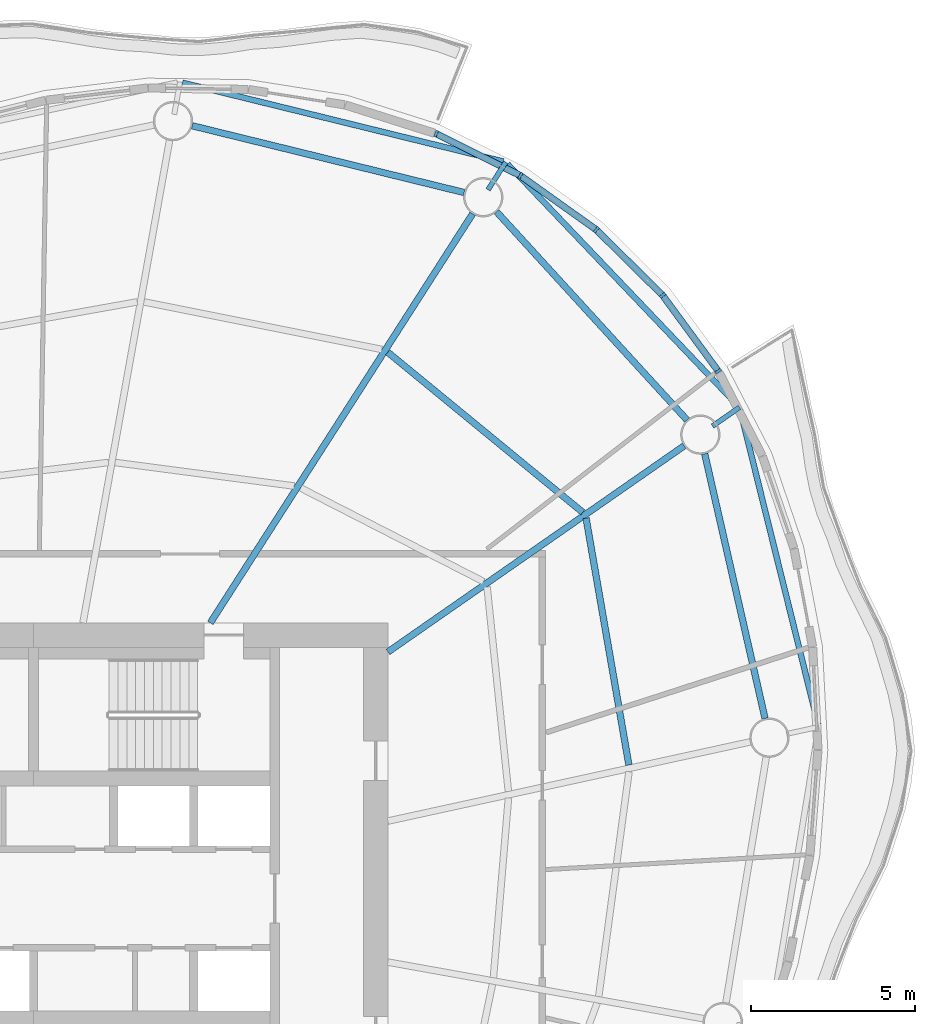
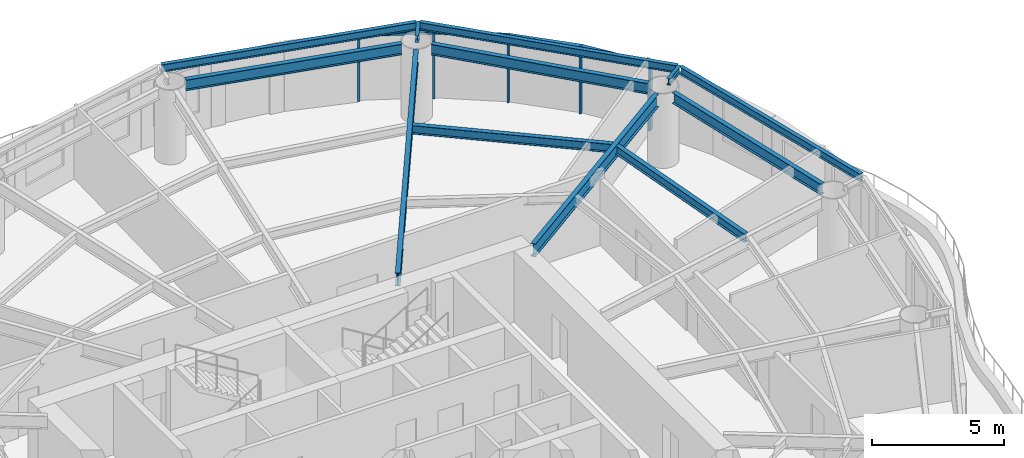
# One storey, part 6 of 14: 12 beams, 9 members, 4 elements without a shape of their own.
"""IFC4 building model written with IfcOpenShell, lengths in metres."""

import ifcopenshell
import ifcopenshell.guid

model = None  # the IFC model being written
_history = None  # IfcOwnerHistory: only IFC2X3 demands one
_inside = {}  # id of a spatial element -> (the spatial element, [elements in it])
_under = {}  # id of a project, library or spatial element -> (it, [spatial elements below it])
_declared = {}  # id of a project -> (the project, [libraries it declares])
_typed = {}  # id of a type object -> (the type object, [elements of that type])
_made_of = {}  # id of a material, layer set ... -> (it, [elements and type objects made of it])


def new_model(schema):
    """Start an empty IFC model of exactly this schema.

    Asked for "IFC4X3", IfcOpenShell would pick the latest addendum, in which some entities
    have other attributes; the version numbers below select the first issue.
    IFC2X3 requires an IfcOwnerHistory on every rooted entity: one is made here for all.
    """
    global model, _history
    if schema == "IFC4X3":
        model = ifcopenshell.file(schema_version=(4, 3, 0, 0))
    else:
        model = ifcopenshell.file(schema=schema)
    _inside.clear()
    _under.clear()
    _declared.clear()
    _typed.clear()
    _made_of.clear()
    _history = None
    if model.schema == "IFC2X3":
        org = make("IfcOrganization", Name="unknown")
        user = make(
            "IfcPersonAndOrganization",
            ThePerson=make("IfcPerson", FamilyName="unknown"),
            TheOrganization=org,
        )
        app = make(
            "IfcApplication",
            ApplicationDeveloper=org,
            Version="unknown",
            ApplicationFullName="unknown",
            ApplicationIdentifier="unknown",
        )
        _history = make(
            "IfcOwnerHistory",
            OwningUser=user,
            OwningApplication=app,
            ChangeAction="ADDED",
            CreationDate=0,
        )
    return model


def make(cls, **values):
    """One entity of the class cls with the attributes given. An attribute that is None is left unset."""
    return model.create_entity(
        cls, **{name: value for name, value in values.items() if value is not None}
    )


def rooted(cls, **values):
    """An entity with a GlobalId (a new one), such as an element, a storey or a relation."""
    return make(cls, GlobalId=ifcopenshell.guid.new(), OwnerHistory=_history, **values)


def si_unit(unit_type, name, prefix=None):
    """IfcSIUnit, for example si_unit("LENGTHUNIT", "METRE", prefix="MILLI")."""
    return make("IfcSIUnit", UnitType=unit_type, Prefix=prefix, Name=name)


def assignment(units):
    """IfcUnitAssignment: the units of a project."""
    return None if units is None else make("IfcUnitAssignment", Units=units)


def point(xyz):
    """IfcCartesianPoint."""
    return None if xyz is None else make("IfcCartesianPoint", Coordinates=xyz)


def direction(xyz):
    """IfcDirection."""
    return None if xyz is None else make("IfcDirection", DirectionRatios=xyz)


def frame(location, z_axis=None, x_axis=None):
    """IfcAxis2Placement3D, a coordinate frame: its origin and axes. An axis left out is left unset."""
    return make(
        "IfcAxis2Placement3D",
        Location=point(location),
        Axis=direction(z_axis),
        RefDirection=direction(x_axis),
    )


def frame_2d(location, x_axis=None):
    """IfcAxis2Placement2D, a coordinate frame in the plane: its origin and x axis."""
    return make(
        "IfcAxis2Placement2D", Location=point(location), RefDirection=direction(x_axis)
    )


def origin():
    """The frame at (0, 0, 0) with its axes left unset."""
    return frame((0.0, 0.0, 0.0))


def origin_2d():
    """The frame at (0, 0) in the plane with its x axis left unset."""
    return frame_2d((0.0, 0.0))


def place(relative_to, where):
    """IfcLocalPlacement: puts the frame where relative to a parent placement (None: the world)."""
    return make(
        "IfcLocalPlacement", PlacementRelTo=relative_to, RelativePlacement=where
    )


def context(
    kind, dimensions, precision=None, world=None, true_north=None, identifier=None
):
    """IfcGeometricRepresentationContext, for example the 3D "Model" context."""
    return make(
        "IfcGeometricRepresentationContext",
        ContextIdentifier=identifier,
        ContextType=kind,
        CoordinateSpaceDimension=dimensions,
        Precision=precision,
        WorldCoordinateSystem=world,
        TrueNorth=true_north,
    )


def subcontext(parent, identifier, kind, view, scale=None):
    """IfcGeometricRepresentationSubContext, for example "Body" below "Model"."""
    return make(
        "IfcGeometricRepresentationSubContext",
        ContextIdentifier=identifier,
        ContextType=kind,
        ParentContext=parent,
        TargetScale=scale,
        TargetView=view,
    )


def project(units=None, contexts=None):
    """IfcProject with its units and contexts."""
    return rooted(
        "IfcProject",
        Name="project",
        RepresentationContexts=contexts,
        UnitsInContext=assignment(units),
    )


def spatial(cls, under=None, at=None, **own):
    """A site, building, storey or space (cls), placed at a placement, below another one or the project."""
    s = rooted(cls, ObjectPlacement=at, **own)
    if under is not None:
        _under.setdefault(under.id(), (under, []))[1].append(s)
    return s


def profile(cls, at=None, kind="AREA", **sizes):
    """A parametric profile (cls). Its sizes go by their IFC names, for example OverallWidth=200.0."""
    return make(cls, ProfileType=kind, Position=at, **sizes)


def rectangle(**sizes):
    """IfcRectangleProfileDef."""
    return profile("IfcRectangleProfileDef", **sizes)


def i_section(**sizes):
    """IfcIShapeProfileDef."""
    return profile("IfcIShapeProfileDef", **sizes)


def extrude(swept, where, along, depth):
    """IfcExtrudedAreaSolid: the profile swept, set in the frame where, extruded along a direction by depth."""
    return make(
        "IfcExtrudedAreaSolid",
        SweptArea=swept,
        Position=where,
        ExtrudedDirection=direction(along),
        Depth=depth,
    )


def shape(context_of_items, identifier, shape_type, items):
    """IfcShapeRepresentation: the items that make up one representation, for example the "Body"."""
    return make(
        "IfcShapeRepresentation",
        ContextOfItems=context_of_items,
        RepresentationIdentifier=identifier,
        RepresentationType=shape_type,
        Items=items,
    )


def material(Name=None, Category=None):
    """IfcMaterial."""
    return make("IfcMaterial", Name=Name, Category=Category)


def material_profile(
    of_material, cross_section, Name=None, Category=None, Priority=None
):
    """IfcMaterialProfile: a cross section and its material."""
    return make(
        "IfcMaterialProfile",
        Name=Name,
        Material=of_material,
        Profile=cross_section,
        Priority=Priority,
        Category=Category,
    )


def profile_set(profiles, Name=None, composite=None):
    """IfcMaterialProfileSet."""
    return make(
        "IfcMaterialProfileSet",
        Name=Name,
        MaterialProfiles=profiles,
        CompositeProfile=composite,
    )


def made_of(thing, what):
    """Note that an element or type object is made of a material, layer set ...; save() writes the relation."""
    if what is not None:
        _made_of.setdefault(what.id(), (what, []))[1].append(thing)
    return thing


def type_object(cls, material=None, **own):
    """A type object (cls), such as IfcWallType, which elements share."""
    return made_of(rooted(cls, **own), material)


def element(
    cls,
    number,
    at=None,
    inside=None,
    cuts=None,
    type_object=None,
    material=None,
    context=None,
    identifier="Body",
    shape_type=None,
    held_by="IfcProductDefinitionShape",
    body=None,
    shapes=None,
    **own,
):
    """One element of the class cls, such as IfcWall. Its Tag is "e" and its number.

    at: its placement. inside: the storey or other place that contains it. cuts: it is an
    opening in that element (IfcRelVoidsElement). A single representation is given by context,
    identifier, shape_type and body (its items); several are given by shapes. held_by: the class
    of the entity that holds the representations. save() writes the other relations.
    """
    e = rooted(cls, Tag="e%d" % number, ObjectPlacement=at, **own)
    if body is not None:
        shapes = [shape(context, identifier, shape_type, body)]
    if shapes is not None:
        e.Representation = make(held_by, Representations=shapes)
    if inside is not None:
        _inside.setdefault(inside.id(), (inside, []))[1].append(e)
    if cuts is not None:
        rooted(
            "IfcRelVoidsElement", RelatingBuildingElement=cuts, RelatedOpeningElement=e
        )
    if type_object is not None:
        _typed.setdefault(type_object.id(), (type_object, []))[1].append(e)
    return made_of(e, material)


def aggregate(whole, parts):
    """IfcRelAggregates: a whole, such as a stair, and the parts it consists of."""
    return rooted("IfcRelAggregates", RelatingObject=whole, RelatedObjects=parts)


def save(model, path):
    """Write the relations noted so far, then the file.

    IfcRelAggregates (storeys below a building ...), IfcRelContainedInSpatialStructure (elements
    in a storey), IfcRelDefinesByType, IfcRelAssociatesMaterial and IfcRelDeclares: one each for
    every whole, place, type object, material and project.
    """
    for whole, parts in _under.values():
        aggregate(whole, parts)
    for where, things in _inside.values():
        rooted(
            "IfcRelContainedInSpatialStructure",
            RelatedElements=things,
            RelatingStructure=where,
        )
    for kind, things in _typed.values():
        rooted("IfcRelDefinesByType", RelatedObjects=things, RelatingType=kind)
    for what, things in _made_of.values():
        rooted("IfcRelAssociatesMaterial", RelatedObjects=things, RelatingMaterial=what)
    for by, libraries in _declared.values():
        rooted("IfcRelDeclares", RelatingContext=by, RelatedDefinitions=libraries)
    model.write(path)


model = new_model("IFC4")

# Units and contexts
model_context = context("Model", 3, precision=1e-05, world=origin(), true_north=direction((0.0, 1.0)))
body_context = subcontext(model_context, "Body", "Model", "MODEL_VIEW")
ifc_project = project(units=[si_unit("LENGTHUNIT", "METRE"), si_unit("AREAUNIT", "SQUARE_METRE"), si_unit("VOLUMEUNIT", "CUBIC_METRE"), si_unit("PLANEANGLEUNIT", "RADIAN"), si_unit("MASSUNIT", "GRAM", prefix="KILO")], contexts=[model_context])

# Site, building, storey
site_placement = place(None, origin())
site = spatial("IfcSite", under=ifc_project, at=site_placement, CompositionType="ELEMENT")
building_placement = place(site_placement, origin())
building = spatial("IfcBuilding", under=site, at=building_placement, Name="Vermilion Reach Broadcast Tower", CompositionType="ELEMENT")
storey_placement = place(building_placement, frame((0.0, 0.0, 231.699951171875)))
storey = spatial("IfcBuildingStorey", under=building, at=storey_placement, Name="L57", CompositionType="ELEMENT", Elevation=231.699951171875)

# Beams
ifc_material_1 = material(Name="Steel S355J2", Category="steel")
ifc_material_profile_1 = material_profile(ifc_material_1, i_section(OverallWidth=0.175048828125, OverallDepth=0.35009765625, WebThickness=0.007080078125, FlangeThickness=0.010986328125, at=origin_2d()), Name="S355J2 HN 350x175x7x11")
ifc_profile_set_1 = profile_set([ifc_material_profile_1], Name="Steel S355J2")
beam_type_1 = type_object("IfcBeamType", Name="EB4 HN 350x175x7x11", PredefinedType="BEAM", material=ifc_profile_set_1)
beam_1_placement = place(storey_placement, frame((8.31201171875, 22.457763671875, 3.275146484375), z_axis=(-0.971092154973, 0.238704894274, 0.0), x_axis=(-0.238704894274, -0.971092154973, 0.0)))
element("IfcBeam", 1, at=beam_1_placement, inside=storey, type_object=beam_type_1, Name="Edge beam EB4-01", PredefinedType="BEAM", context=body_context, shape_type="SweptSolid", body=[
    extrude(i_section(OverallWidth=0.175048828125, OverallDepth=0.35009765625, WebThickness=0.007080078125, FlangeThickness=0.010986328125, at=origin_2d()), origin(), (0.0, 0.0, 1.0), 10.067138671875),
])
beam_2_placement = place(storey_placement, frame((17.908935546875, 5.302734375, 3.275146484375), z_axis=(-0.240819581999, 0.970569899042, 0.0), x_axis=(-0.970569899042, -0.240819581999, 0.0)))
element("IfcBeam", 2, at=beam_2_placement, inside=storey, type_object=beam_type_1, Name="Edge beam EB4-15", PredefinedType="BEAM", context=body_context, shape_type="SweptSolid", body=[
    extrude(i_section(OverallWidth=0.175048828125, OverallDepth=0.35009765625, WebThickness=0.007080078125, FlangeThickness=0.010986328125, at=origin_2d()), origin(), (0.0, 0.0, 1.0), 9.87744140625),
])
beam_3_placement = place(storey_placement, frame((15.45849609375, 15.022216796875, 3.275146484375), z_axis=(-0.689966242308, 0.723841546525, 0.0), x_axis=(-0.723841546525, -0.689966242308, 0.0)))
element("IfcBeam", 3, at=beam_3_placement, inside=storey, type_object=beam_type_1, Name="Edge beam EB4-16", PredefinedType="BEAM", context=body_context, shape_type="SweptSolid", body=[
    extrude(i_section(OverallWidth=0.175048828125, OverallDepth=0.35009765625, WebThickness=0.007080078125, FlangeThickness=0.010986328125, at=origin_2d()), origin(), (0.0, 0.0, 1.0), 10.169189453125),
])
ifc_material_2 = material(Name="Steel S355J2", Category="steel")
ifc_material_profile_2 = material_profile(ifc_material_2, i_section(OverallWidth=0.199951171875, OverallDepth=0.60009765625, WebThickness=0.010986328125, FlangeThickness=0.01708984375, at=origin_2d()), Name="S355J2 HN 600x200x11x17")
ifc_profile_set_2 = profile_set([ifc_material_profile_2], Name="Steel S355J2")
beam_type_2 = type_object("IfcBeamType", Name="G4 HN 600x200x11x17", PredefinedType="BEAM", material=ifc_profile_set_2)
beam_4_placement = place(storey_placement, frame((-0.613525390625, 8.39990234375, 3.150146484375), z_axis=(0.539796447586, 0.84179557802, 0.0), x_axis=(-0.84179557802, 0.539796447586, 0.0)))
element("IfcBeam", 4, at=beam_4_placement, inside=storey, type_object=beam_type_2, Name="Girder G4-01", PredefinedType="BEAM", context=body_context, shape_type="SweptSolid", body=[
    extrude(i_section(OverallWidth=0.199951171875, OverallDepth=0.60009765625, WebThickness=0.010986328125, FlangeThickness=0.01708984375, at=origin_2d()), origin(), (0.0, 0.0, 1.0), 14.8076171875),
])
beam_5_placement = place(storey_placement, frame((4.800048828125, 7.5146484375, 3.150146484375), z_axis=(0.820848627818, 0.571145804684, 0.0), x_axis=(-0.571145804684, 0.820848627818, 0.0)))
element("IfcBeam", 5, at=beam_5_placement, inside=storey, type_object=beam_type_2, Name="Girder G4-16", PredefinedType="BEAM", context=body_context, shape_type="SweptSolid", body=[
    extrude(i_section(OverallWidth=0.199951171875, OverallDepth=0.60009765625, WebThickness=0.010986328125, FlangeThickness=0.01708984375, at=origin_2d()), origin(), (0.0, 0.0, 1.0), 10.99560546875),
])
ifc_material_3 = material(Name="Steel S355J2", Category="steel")
ifc_material_profile_3 = material_profile(ifc_material_3, i_section(OverallWidth=0.14990234375, OverallDepth=0.300048828125, WebThickness=0.006591796875, FlangeThickness=0.009033203125, at=origin_2d()), Name="S355J2 HN 300x150x6.5x9")
ifc_profile_set_3 = profile_set([ifc_material_profile_3], Name="Steel S355J2")
beam_type_3 = type_object("IfcBeamType", Name="GS4 HN 300x150x6.5x9", PredefinedType="BEAM", material=ifc_profile_set_3)
for number, where, z_axis, x_axis, name in (
    (6, (7.84912109375, 21.59716796875, 3.300048828125), (0.539794777091, 0.841796649213, 0.0), (-0.841796649213, 0.539794777091, 0.0), "Cantilever stub GS4-01"),
    (7, (14.690185546875, 14.39599609375, 3.300048828125), (0.820765852073, 0.571264751294, 0.0), (-0.571264751294, 0.820765852073, 0.0), "Cantilever stub GS4-16"),
):
    element("IfcBeam", number, at=place(storey_placement, frame(where, z_axis=z_axis, x_axis=x_axis)), inside=storey, type_object=beam_type_3, Name=name, PredefinedType="BEAM", context=body_context, shape_type="SweptSolid", body=[
        extrude(i_section(OverallWidth=0.14990234375, OverallDepth=0.300048828125, WebThickness=0.006591796875, FlangeThickness=0.009033203125, at=origin_2d()), origin(), (0.0, 0.0, 1.0), 1.0),
    ])
ifc_material_4 = material(Name="Steel S355J2", Category="steel")
ifc_material_profile_4 = material_profile(ifc_material_4, i_section(OverallWidth=0.199951171875, OverallDepth=0.5, WebThickness=0.010009765625, FlangeThickness=0.01611328125, at=origin_2d()), Name="S355J2 HN 500x200x10x16")
ifc_profile_set_4 = profile_set([ifc_material_profile_4], Name="Steel S355J2")
beam_type_4 = type_object("IfcBeamType", Name="RB4 HN 500x200x10x16", PredefinedType="BEAM", material=ifc_profile_set_4)
beam_6_placement = place(storey_placement, frame((7.120849609375, 21.51318359375, 3.199951171875), z_axis=(-0.971158622271, 0.238434331398, 0.0), x_axis=(-0.238434331398, -0.971158622271, 0.0)))
element("IfcBeam", 8, at=beam_6_placement, inside=storey, type_object=beam_type_4, Name="Ring beam RB4-01", PredefinedType="BEAM", context=body_context, shape_type="SweptSolid", body=[
    extrude(i_section(OverallWidth=0.199951171875, OverallDepth=0.5, WebThickness=0.010009765625, FlangeThickness=0.01611328125, at=origin_2d()), origin(), (0.0, 0.0, 1.0), 8.534423828125),
])
beam_7_placement = place(storey_placement, frame((16.290283203125, 5.486572265625, 3.199951171875), z_axis=(-0.222283068275, 0.974982172944, 0.0), x_axis=(-0.974982172944, -0.222283068275, 0.0)))
element("IfcBeam", 9, at=beam_7_placement, inside=storey, type_object=beam_type_4, Name="Ring beam RB4-15", PredefinedType="BEAM", context=body_context, shape_type="SweptSolid", body=[
    extrude(i_section(OverallWidth=0.199951171875, OverallDepth=0.5, WebThickness=0.010009765625, FlangeThickness=0.01611328125, at=origin_2d()), origin(), (0.0, 0.0, 1.0), 8.272705078125),
])
beam_8_placement = place(storey_placement, frame((13.9130859375, 14.580078125, 3.199951171875), z_axis=(-0.674868141417, 0.737938338684, 0.0), x_axis=(-0.737938338684, -0.674868141417, 0.0)))
element("IfcBeam", 10, at=beam_8_placement, inside=storey, type_object=beam_type_4, Name="Ring beam RB4-16", PredefinedType="BEAM", context=body_context, shape_type="SweptSolid", body=[
    extrude(i_section(OverallWidth=0.199951171875, OverallDepth=0.5, WebThickness=0.010009765625, FlangeThickness=0.01611328125, at=origin_2d()), origin(), (0.0, 0.0, 1.0), 8.601318359375),
])
ifc_material_5 = material(Name="Steel S355J2", Category="steel")
ifc_material_profile_5 = material_profile(ifc_material_5, i_section(OverallWidth=0.199951171875, OverallDepth=0.39990234375, WebThickness=0.008056640625, FlangeThickness=0.012939453125, at=origin_2d()), Name="S355J2 HN 400x200x8x13")
ifc_profile_set_5 = profile_set([ifc_material_profile_5], Name="Steel S355J2")
beam_type_5 = type_object("IfcBeamType", Name="SB4 HN 400x200x8x13", PredefinedType="BEAM", material=ifc_profile_set_5)
beam_9_placement = place(storey_placement, frame((12.141357421875, 4.067626953125, 3.25), z_axis=(-0.170926997669, 0.985283695931, 0.0), x_axis=(-0.985283695931, -0.170926997669, 0.0)))
element("IfcBeam", 11, at=beam_9_placement, inside=storey, type_object=beam_type_5, Name="Secondary beam SB4-15-2", PredefinedType="BEAM", context=body_context, shape_type="SweptSolid", body=[
    extrude(i_section(OverallWidth=0.199951171875, OverallDepth=0.39990234375, WebThickness=0.008056640625, FlangeThickness=0.012939453125, at=origin_2d()), origin(), (0.0, 0.0, 1.0), 7.63720703125),
])
beam_10_placement = place(storey_placement, frame((10.73681640625, 11.76708984375, 3.25), z_axis=(-0.772952000494, 0.6344645025, 0.0), x_axis=(-0.6344645025, -0.772952000494, 0.0)))
element("IfcBeam", 12, at=beam_10_placement, inside=storey, type_object=beam_type_5, Name="Secondary beam SB4-16-2", PredefinedType="BEAM", context=body_context, shape_type="SweptSolid", body=[
    extrude(i_section(OverallWidth=0.199951171875, OverallDepth=0.39990234375, WebThickness=0.008056640625, FlangeThickness=0.012939453125, at=origin_2d()), origin(), (0.0, 0.0, 1.0), 7.689697265625),
])

# Curtain wall, member
ifc_material_6 = material(Name="Low-e laminated clear glass in aluminium frame", Category="aluminium")
curtain_wall_type = type_object("IfcCurtainWallType", Name="Slot curtain wall", PredefinedType="NOTDEFINED", material=ifc_material_6)
placement = place(storey_placement, origin())
curtain_wall_1 = element("IfcCurtainWall", 13, at=placement, inside=storey, type_object=curtain_wall_type, Name="Slot curtain wall L57 46", PredefinedType="NOTDEFINED")
ifc_material_7 = material(Name="Anodised aluminium", Category="aluminium")
ifc_material_profile_6 = material_profile(ifc_material_7, rectangle(XDim=0.199951171875, YDim=0.080078125, at=origin_2d()), Name="Slot mullion 80 x 200")
ifc_profile_set_6 = profile_set([ifc_material_profile_6], Name="Anodised aluminium")
member_type_1 = type_object("IfcMemberType", Name="Slot mullion 80 x 200", PredefinedType="MULLION", material=ifc_profile_set_6)
member_1_placement = place(storey_placement, frame((14.865478515625, 16.0693359375, 0.0), z_axis=(0.0, 0.0, 1.0), x_axis=(-0.849464428571, -0.527645889393, 0.0)))
member_1 = element("IfcMember", 14, at=member_1_placement, type_object=member_type_1, Name="Slot mullion L57 46", PredefinedType="MULLION", context=body_context, shape_type="SweptSolid", body=[
    extrude(rectangle(XDim=0.199951171875, YDim=0.080078125, at=origin_2d()), origin(), (0.0, 0.0, 1.0), 3.10009765625),
])

curtain_wall_2 = element("IfcCurtainWall", 15, at=placement, inside=storey, type_object=curtain_wall_type, Name="Slot curtain wall L57 47", PredefinedType="NOTDEFINED")
member_2_placement = place(storey_placement, frame((13.16943359375, 18.38037109375, 0.0), z_axis=(0.0, 0.0, 1.0), x_axis=(-0.756868427494, -0.653567275391, 0.0)))
member_2 = element("IfcMember", 16, at=member_2_placement, type_object=member_type_1, Name="Slot mullion L57 47", PredefinedType="MULLION", context=body_context, shape_type="SweptSolid", body=[
    extrude(rectangle(XDim=0.199951171875, YDim=0.080078125, at=origin_2d()), origin(), (0.0, 0.0, 1.0), 3.10009765625),
])

curtain_wall_3 = element("IfcCurtainWall", 17, at=placement, inside=storey, type_object=curtain_wall_type, Name="Slot curtain wall L57 00", PredefinedType="NOTDEFINED")
member_3_placement = place(storey_placement, frame((11.1474609375, 20.377685546875, 0.0), z_axis=(0.0, 0.0, 1.0), x_axis=(-0.64385659192, -0.76514618802, 0.0)))
member_3 = element("IfcMember", 18, at=member_3_placement, type_object=member_type_1, Name="Slot mullion L57 00", PredefinedType="MULLION", context=body_context, shape_type="SweptSolid", body=[
    extrude(rectangle(XDim=0.199951171875, YDim=0.080078125, at=origin_2d()), origin(), (0.0, 0.0, 1.0), 3.10009765625),
])

# Curtain wall, members
curtain_wall_4 = element("IfcCurtainWall", 19, at=placement, inside=storey, type_object=curtain_wall_type, Name="Slot curtain wall L57 01", PredefinedType="NOTDEFINED")
member_4_placement = place(storey_placement, frame((8.833984375, 22.028564453125, 0.0), z_axis=(0.0, 0.0, 1.0), x_axis=(-0.514605728902, -0.857426932036, 0.0)))
member_4 = element("IfcMember", 20, at=member_4_placement, type_object=member_type_1, Name="Slot mullion L57 01", PredefinedType="MULLION", context=body_context, shape_type="SweptSolid", body=[
    extrude(rectangle(XDim=0.199951171875, YDim=0.080078125, at=origin_2d()), origin(), (0.0, 0.0, 1.0), 3.10009765625),
])
member_5_placement = place(storey_placement, frame((6.26708984375, 23.3046875, 0.0), z_axis=(0.0, 0.0, 1.0), x_axis=(-0.374712385366, -0.927141104823, 0.0)))
member_5 = element("IfcMember", 21, at=member_5_placement, type_object=member_type_1, Name="Slot mullion L57 02", PredefinedType="MULLION", context=body_context, shape_type="SweptSolid", body=[
    extrude(rectangle(XDim=0.199951171875, YDim=0.080078125, at=origin_2d()), origin(), (0.0, 0.0, 1.0), 3.10009765625),
])

# Member
ifc_material_8 = material(Name="Anodised aluminium", Category="aluminium")
ifc_material_profile_7 = material_profile(ifc_material_8, rectangle(XDim=0.199951171875, YDim=0.10009765625, at=origin_2d()), Name="Slot transom 200 x 100")
ifc_profile_set_7 = profile_set([ifc_material_profile_7], Name="Anodised aluminium")
member_type_2 = type_object("IfcMemberType", Name="Slot transom 200 x 100", PredefinedType="USERDEFINED", material=ifc_profile_set_7)
member_6_placement = place(storey_placement, frame((14.841796875, 16.1015625, 3.050048828125), z_axis=(-0.591640896485, 0.806201618459, 0.0), x_axis=(-0.806201618459, -0.591640896485, 0.0)))
member_6 = element("IfcMember", 22, at=member_6_placement, type_object=member_type_2, Name="Slot transom L57 46.1", ObjectType="TRANSOM", PredefinedType="USERDEFINED", context=body_context, shape_type="SweptSolid", body=[
    extrude(rectangle(XDim=0.199951171875, YDim=0.10009765625, at=origin_2d()), origin(), (0.0, 0.0, 1.0), 2.78662109375),
])

aggregate(curtain_wall_1, [member_1, member_6])

member_7_placement = place(storey_placement, frame((13.140869140625, 18.408447265625, 3.050048828125), z_axis=(-0.711380809465, 0.702806761439, 0.0), x_axis=(-0.702806761439, -0.711380809465, 0.0)))
member_7 = element("IfcMember", 23, at=member_7_placement, type_object=member_type_2, Name="Slot transom L57 47.1", ObjectType="TRANSOM", PredefinedType="USERDEFINED", context=body_context, shape_type="SweptSolid", body=[
    extrude(rectangle(XDim=0.199951171875, YDim=0.10009765625, at=origin_2d()), origin(), (0.0, 0.0, 1.0), 2.761962890625),
])

aggregate(curtain_wall_2, [member_2, member_7])

member_8_placement = place(storey_placement, frame((11.114990234375, 20.401123046875, 3.050048828125), z_axis=(-0.814049873741, 0.580794975066, 0.0), x_axis=(-0.580794975066, -0.814049873741, 0.0)))
member_8 = element("IfcMember", 24, at=member_8_placement, type_object=member_type_2, Name="Slot transom L57 00.1", ObjectType="TRANSOM", PredefinedType="USERDEFINED", context=body_context, shape_type="SweptSolid", body=[
    extrude(rectangle(XDim=0.199951171875, YDim=0.10009765625, at=origin_2d()), origin(), (0.0, 0.0, 1.0), 2.76220703125),
])

aggregate(curtain_wall_3, [member_3, member_8])

member_9_placement = place(storey_placement, frame((8.798095703125, 22.04638671875, 3.050048828125), z_axis=(-0.895458595531, 0.445144812043, 0.0), x_axis=(-0.445144812043, -0.895458595531, 0.0)))
member_9 = element("IfcMember", 25, at=member_9_placement, type_object=member_type_2, Name="Slot transom L57 01.1", ObjectType="TRANSOM", PredefinedType="USERDEFINED", context=body_context, shape_type="SweptSolid", body=[
    extrude(rectangle(XDim=0.199951171875, YDim=0.10009765625, at=origin_2d()), origin(), (0.0, 0.0, 1.0), 2.78662109375),
])

aggregate(curtain_wall_4, [member_4, member_5, member_9])

save(model, "model.ifc")
